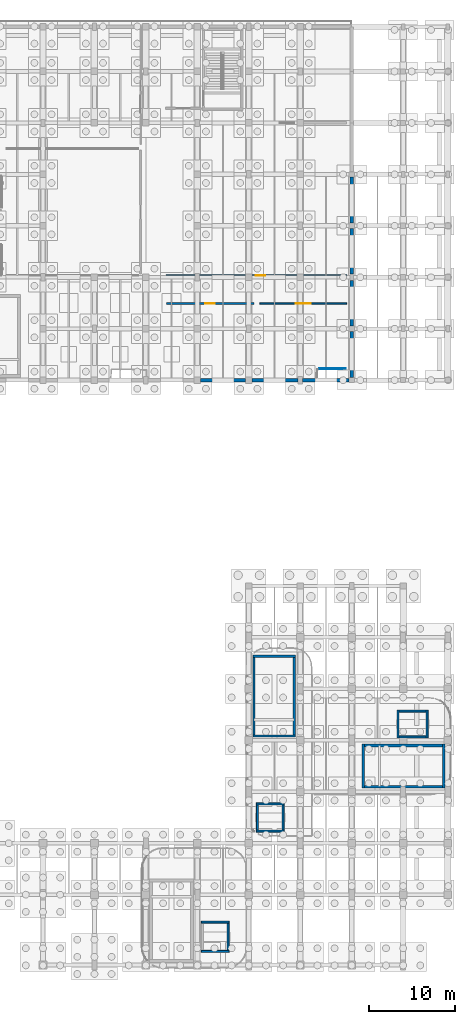
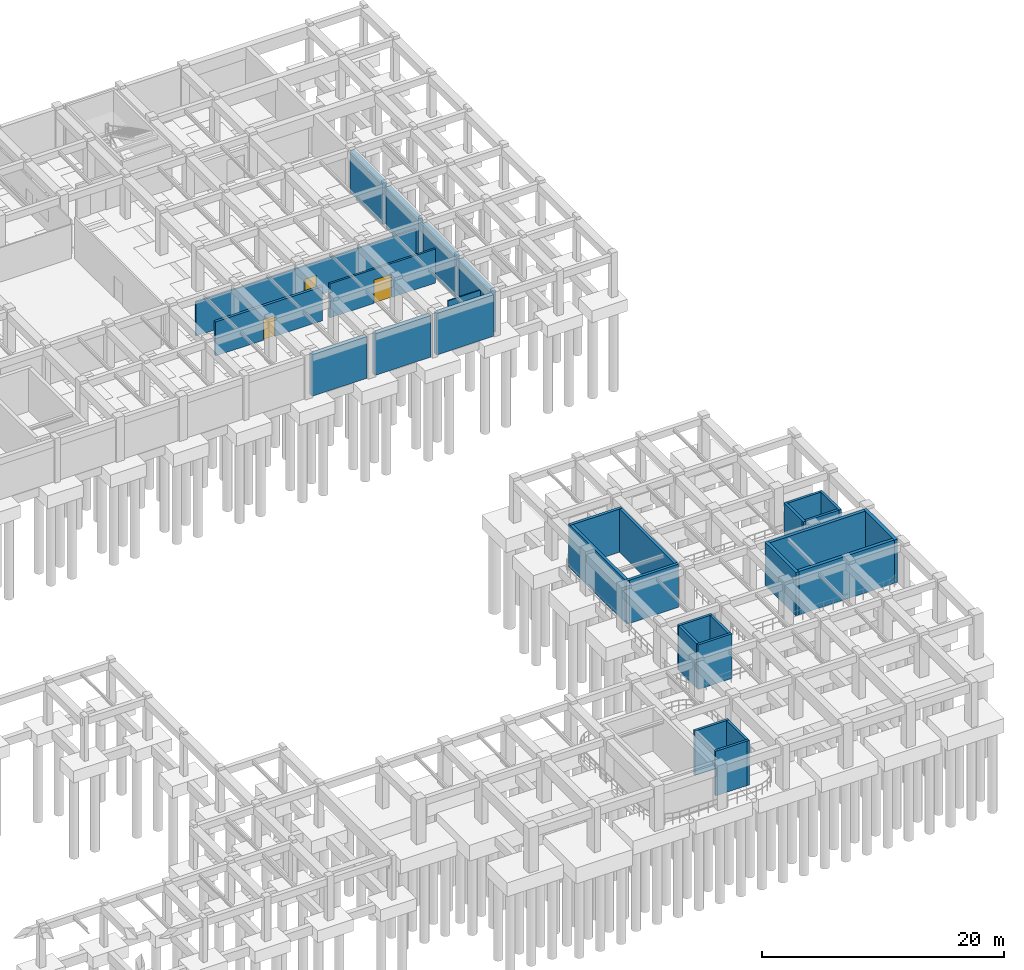
# One storey, part 21 of 32: 30 walls, 3 doors, 3 openings.
"""IFC4 building model written with IfcOpenShell, lengths in metres."""

from ifc_helpers import new_model, si_unit, direction, frame, frame_2d, origin, place, context, subcontext, project, spatial, rectangle, extrude, material, layer, layer_set, type_object, element, fill, save


model = new_model("IFC4")

# Units and contexts
model_context = context("Model", 3, precision=1e-05, world=origin(), true_north=direction((0.0, 1.0)))
body_context = subcontext(model_context, "Body", "Model", "MODEL_VIEW")
ifc_project = project(units=[si_unit("LENGTHUNIT", "METRE"), si_unit("AREAUNIT", "SQUARE_METRE"), si_unit("VOLUMEUNIT", "CUBIC_METRE"), si_unit("PLANEANGLEUNIT", "RADIAN"), si_unit("MASSUNIT", "GRAM", prefix="KILO")], contexts=[model_context])

# Site, building, storey
site_placement = place(None, origin())
site = spatial("IfcSite", under=ifc_project, at=site_placement, CompositionType="ELEMENT")
building_placement = place(site_placement, origin())
building = spatial("IfcBuilding", under=site, at=building_placement, Name="Varnakota Square Police Headquarters", CompositionType="ELEMENT")
storey_placement = place(building_placement, frame((0.0, 0.0, -4.5)))
storey = spatial("IfcBuildingStorey", under=building, at=storey_placement, Name="B1", CompositionType="ELEMENT", Elevation=-4.5)

# Walls
ifc_material_1 = material(Name="Concrete M40", Category="concrete")
ifc_layer_1 = layer(ifc_material_1, 0.22998046875, Name="Concrete M40")
ifc_layer_set_1 = layer_set([ifc_layer_1], Name="Concrete M40")
wall_type_1 = type_object("IfcWallType", Name="WL-CORE-230", PredefinedType="SHEAR", material=ifc_layer_set_1)
wall_1_placement = place(storey_placement, frame((132.485107421875, 2.39990234375, 0.0), z_axis=(0.0, 0.0, 1.0), x_axis=(1.0, 0.0, 0.0)))
element("IfcWall", 1, at=wall_1_placement, inside=storey, type_object=wall_type_1, Name="Lift shaft wall LF-FF1 B1 S", PredefinedType="SHEAR", context=body_context, shape_type="SweptSolid", body=[
    extrude(rectangle(XDim=3.22998046875, YDim=0.22998046875, at=frame_2d((1.614990234375, 0.0))), origin(), (0.0, 0.0, 1.0), 4.5),
])
wall_2_placement = place(storey_placement, frame((135.60009765625, 2.284912109375, 0.0), z_axis=(0.0, 0.0, 1.0), x_axis=(0.0, 1.0, 0.0)))
element("IfcWall", 2, at=wall_2_placement, inside=storey, type_object=wall_type_1, Name="Lift shaft wall LF-FF1 B1 E", PredefinedType="SHEAR", context=body_context, shape_type="SweptSolid", body=[
    extrude(rectangle(XDim=3.630126953125, YDim=0.22998046875, at=frame_2d((1.81494140625, 0.0))), origin(), (0.0, 0.0, 1.0), 4.5),
])
wall_3_placement = place(storey_placement, frame((135.715087890625, 5.800048828125, 0.0), z_axis=(0.0, 0.0, 1.0), x_axis=(-1.0, 0.0, 0.0)))
element("IfcWall", 3, at=wall_3_placement, inside=storey, type_object=wall_type_1, Name="Lift shaft wall LF-FF1 B1 N", PredefinedType="SHEAR", context=body_context, shape_type="SweptSolid", body=[
    extrude(rectangle(XDim=3.22998046875, YDim=0.22998046875, at=frame_2d((1.614990234375, 0.0))), origin(), (0.0, 0.0, 1.0), 4.5),
])
wall_4_placement = place(storey_placement, frame((155.284912109375, 27.39990234375, 0.0), z_axis=(0.0, 0.0, 1.0), x_axis=(1.0, 0.0, 0.0)))
element("IfcWall", 4, at=wall_4_placement, inside=storey, type_object=wall_type_1, Name="Lift shaft wall LF-FF2 B1 S", PredefinedType="SHEAR", context=body_context, shape_type="SweptSolid", body=[
    extrude(rectangle(XDim=3.630126953125, YDim=0.22998046875, at=frame_2d((1.81494140625, 0.0))), origin(), (0.0, 0.0, 1.0), 4.5),
])
wall_5_placement = place(storey_placement, frame((158.800048828125, 27.284912109375, 0.0), z_axis=(0.0, 0.0, 1.0), x_axis=(0.0, 1.0, 0.0)))
element("IfcWall", 5, at=wall_5_placement, inside=storey, type_object=wall_type_1, Name="Lift shaft wall LF-FF2 B1 E", PredefinedType="SHEAR", context=body_context, shape_type="SweptSolid", body=[
    extrude(rectangle(XDim=3.22998046875, YDim=0.22998046875, at=frame_2d((1.614990234375, 0.0))), origin(), (0.0, 0.0, 1.0), 4.5),
])
wall_6_placement = place(storey_placement, frame((158.9150390625, 30.39990234375, 0.0), z_axis=(0.0, 0.0, 1.0), x_axis=(-1.0, 0.0, 0.0)))
element("IfcWall", 6, at=wall_6_placement, inside=storey, type_object=wall_type_1, Name="Lift shaft wall LF-FF2 B1 N", PredefinedType="SHEAR", context=body_context, shape_type="SweptSolid", body=[
    extrude(rectangle(XDim=3.630126953125, YDim=0.22998046875, at=frame_2d((1.81494140625, 0.0))), origin(), (0.0, 0.0, 1.0), 4.5),
])
for number, where, z_axis, x_axis, name in (
    (7, (155.39990234375, 30.514892578125, 0.0), (0.0, 0.0, 1.0), (0.0, -1.0, 0.0), "Lift shaft wall LF-FF2 B1 W"),
    (8, (138.885009765625, 16.39990234375, 0.0), (0.0, 0.0, 1.0), (1.0, 0.0, 0.0), "Lift shaft wall LF-P1 B1 S"),
):
    element("IfcWall", number, at=place(storey_placement, frame(where, z_axis=z_axis, x_axis=x_axis)), inside=storey, type_object=wall_type_1, Name=name, PredefinedType="SHEAR", context=body_context, shape_type="SweptSolid", body=[
        extrude(rectangle(XDim=3.22998046875, YDim=0.22998046875, at=frame_2d((1.614990234375, 0.0))), origin(), (0.0, 0.0, 1.0), 4.5),
    ])
wall_7_placement = place(storey_placement, frame((142.0, 16.284912109375, 0.0), z_axis=(0.0, 0.0, 1.0), x_axis=(0.0, 1.0, 0.0)))
element("IfcWall", 9, at=wall_7_placement, inside=storey, type_object=wall_type_1, Name="Lift shaft wall LF-P1 B1 E", PredefinedType="SHEAR", context=body_context, shape_type="SweptSolid", body=[
    extrude(rectangle(XDim=3.43017578125, YDim=0.22998046875, at=frame_2d((1.715087890625, 0.0))), origin(), (0.0, 0.0, 1.0), 4.5),
])
wall_8_placement = place(storey_placement, frame((142.114990234375, 19.60009765625, 0.0), z_axis=(0.0, 0.0, 1.0), x_axis=(-1.0, 0.0, 0.0)))
element("IfcWall", 10, at=wall_8_placement, inside=storey, type_object=wall_type_1, Name="Lift shaft wall LF-P1 B1 N", PredefinedType="SHEAR", context=body_context, shape_type="SweptSolid", body=[
    extrude(rectangle(XDim=3.22998046875, YDim=0.22998046875, at=frame_2d((1.614990234375, 0.0))), origin(), (0.0, 0.0, 1.0), 4.5),
])
wall_9_placement = place(storey_placement, frame((139.0, 19.715087890625, 0.0), z_axis=(0.0, 0.0, 1.0), x_axis=(0.0, -1.0, 0.0)))
element("IfcWall", 11, at=wall_9_placement, inside=storey, type_object=wall_type_1, Name="Lift shaft wall LF-P1 B1 W", PredefinedType="SHEAR", context=body_context, shape_type="SweptSolid", body=[
    extrude(rectangle(XDim=3.43017578125, YDim=0.22998046875, at=frame_2d((1.715087890625, 0.0))), origin(), (0.0, 0.0, 1.0), 4.5),
])
ifc_material_2 = material(Name="Concrete M50", Category="concrete")
ifc_layer_2 = layer(ifc_material_2, 0.27001953125, Name="Concrete M50")
ifc_layer_set_2 = layer_set([ifc_layer_2], Name="Concrete M50")
wall_type_2 = type_object("IfcWallType", Name="WL-CORE-270", PredefinedType="SHEAR", material=ifc_layer_set_2)
wall_10_placement = place(storey_placement, frame((138.465087890625, 27.5, 0.0), z_axis=(0.0, 0.0, 1.0), x_axis=(1.0, 0.0, 0.0)))
element("IfcWall", 12, at=wall_10_placement, inside=storey, type_object=wall_type_2, Name="Core C3 shear wall B1 S", PredefinedType="SHEAR", context=body_context, shape_type="SweptSolid", body=[
    extrude(rectangle(XDim=4.969970703125, YDim=0.27001953125, at=frame_2d((2.48486328125, 0.0))), origin(), (0.0, 0.0, 1.0), 4.360107421875),
])
wall_11_placement = place(storey_placement, frame((143.300048828125, 27.364990234375, 0.0), z_axis=(0.0, 0.0, 1.0), x_axis=(0.0, 1.0, 0.0)))
element("IfcWall", 13, at=wall_11_placement, inside=storey, type_object=wall_type_2, Name="Core C3 shear wall B1 E", PredefinedType="SHEAR", context=body_context, shape_type="SweptSolid", body=[
    extrude(rectangle(XDim=9.570068359375, YDim=0.27001953125, at=frame_2d((4.78515625, 0.0))), origin(), (0.0, 0.0, 1.0), 4.360107421875),
])
wall_12_placement = place(storey_placement, frame((143.43505859375, 36.800048828125, 0.0), z_axis=(0.0, 0.0, 1.0), x_axis=(-1.0, 0.0, 0.0)))
element("IfcWall", 14, at=wall_12_placement, inside=storey, type_object=wall_type_2, Name="Core C3 shear wall B1 N", PredefinedType="SHEAR", context=body_context, shape_type="SweptSolid", body=[
    extrude(rectangle(XDim=4.969970703125, YDim=0.27001953125, at=frame_2d((2.48486328125, 0.0))), origin(), (0.0, 0.0, 1.0), 4.360107421875),
])
wall_13_placement = place(storey_placement, frame((138.60009765625, 36.93505859375, 0.0), z_axis=(0.0, 0.0, 1.0), x_axis=(0.0, -1.0, 0.0)))
element("IfcWall", 15, at=wall_13_placement, inside=storey, type_object=wall_type_2, Name="Core C3 shear wall B1 W", PredefinedType="SHEAR", context=body_context, shape_type="SweptSolid", body=[
    extrude(rectangle(XDim=9.570068359375, YDim=0.27001953125, at=frame_2d((4.78515625, 0.0))), origin(), (0.0, 0.0, 1.0), 4.360107421875),
])
ifc_layer_3 = layer(ifc_material_2, 0.31005859375, Name="Concrete M50")
ifc_layer_set_3 = layer_set([ifc_layer_3], Name="Concrete M50")
wall_type_3 = type_object("IfcWallType", Name="WL-CORE-310", PredefinedType="SHEAR", material=ifc_layer_set_3)
wall_14_placement = place(storey_placement, frame((151.195068359375, 21.60009765625, 0.0), z_axis=(0.0, 0.0, 1.0), x_axis=(1.0, 0.0, 0.0)))
element("IfcWall", 16, at=wall_14_placement, inside=storey, type_object=wall_type_3, Name="Core C2 shear wall B1 S", PredefinedType="SHEAR", context=body_context, shape_type="SweptSolid", body=[
    extrude(rectangle(XDim=9.7099609375, YDim=0.31005859375, at=frame_2d((4.85498046875, 0.0))), origin(), (0.0, 0.0, 1.0), 4.360107421875),
])
wall_15_placement = place(storey_placement, frame((160.75, 21.445068359375, 0.0), z_axis=(0.0, 0.0, 1.0), x_axis=(0.0, 1.0, 0.0)))
element("IfcWall", 17, at=wall_15_placement, inside=storey, type_object=wall_type_3, Name="Core C2 shear wall B1 E", PredefinedType="SHEAR", context=body_context, shape_type="SweptSolid", body=[
    extrude(rectangle(XDim=5.10986328125, YDim=0.31005859375, at=frame_2d((2.554931640625, 0.0))), origin(), (0.0, 0.0, 1.0), 4.360107421875),
])
wall_16_placement = place(storey_placement, frame((160.905029296875, 26.39990234375, 0.0), z_axis=(0.0, 0.0, 1.0), x_axis=(-1.0, 0.0, 0.0)))
element("IfcWall", 18, at=wall_16_placement, inside=storey, type_object=wall_type_3, Name="Core C2 shear wall B1 N", PredefinedType="SHEAR", context=body_context, shape_type="SweptSolid", body=[
    extrude(rectangle(XDim=9.7099609375, YDim=0.31005859375, at=frame_2d((4.85498046875, 0.0))), origin(), (0.0, 0.0, 1.0), 4.360107421875),
])
wall_17_placement = place(storey_placement, frame((151.35009765625, 26.554931640625, 0.0), z_axis=(0.0, 0.0, 1.0), x_axis=(0.0, -1.0, 0.0)))
element("IfcWall", 19, at=wall_17_placement, inside=storey, type_object=wall_type_3, Name="Core C2 shear wall B1 W", PredefinedType="SHEAR", context=body_context, shape_type="SweptSolid", body=[
    extrude(rectangle(XDim=5.10986328125, YDim=0.31005859375, at=frame_2d((2.554931640625, 0.0))), origin(), (0.0, 0.0, 1.0), 4.360107421875),
])
ifc_material_3 = material(Name="Lightweight Demountable Office Partition", Category="gypsum")
ifc_layer_4 = layer(ifc_material_3, 0.094970703125, Name="Lightweight Demountable Office Partition")
ifc_layer_set_4 = layer_set([ifc_layer_4], Name="Lightweight Demountable Office Partition")
wall_type_4 = type_object("IfcWallType", Name="WL-PRT-095", PredefinedType="PARTITIONING", material=ifc_layer_set_4)
wall_18_placement = place(storey_placement, frame((149.320068359375, 70.349609375, 0.0), z_axis=(0.0, 0.0, 1.0), x_axis=(-0.999998341873, -0.001821057946, 0.0)))
element("IfcWall", 20, at=wall_18_placement, inside=storey, type_object=wall_type_4, Name="Interior dividing partition PW-B1-0019 (Standby Generator Plant Room)", PredefinedType="PARTITIONING", context=body_context, shape_type="SweptSolid", body=[
    extrude(rectangle(XDim=3.08349609375, YDim=0.094970703125, at=frame_2d((1.541748046875, 0.0))), origin(), (0.0, 0.0, 1.0), 3.889892578125),
])

# Wall, opening, door
ifc_material_4 = material(Name="Fire-Rated Double Gypsum Stud Partition", Category="gypsum")
ifc_layer_5 = layer(ifc_material_4, 0.1650390625, Name="Fire-Rated Double Gypsum Stud Partition")
ifc_layer_set_5 = layer_set([ifc_layer_5], Name="Fire-Rated Double Gypsum Stud Partition")
wall_type_5 = type_object("IfcWallType", Name="WL-PRT-165F", PredefinedType="PARTITIONING", material=ifc_layer_set_5)
wall_19_placement = place(storey_placement, frame((149.39990234375, 81.199951171875, 0.0), z_axis=(0.0, 0.0, 1.0), x_axis=(-1.0, 0.0, 0.0)))
wall_19 = element("IfcWall", 21, at=wall_19_placement, inside=storey, type_object=wall_type_5, Name="Interior partition PW-B1-0008 (Central Chiller Plant Room)", PredefinedType="PARTITIONING", context=body_context, shape_type="SweptSolid", body=[
    extrude(rectangle(XDim=21.0, YDim=0.1650390625, at=frame_2d((10.5, 0.0))), origin(), (0.0, 0.0, 1.0), 3.43994140625),
])
opening_1_placement = place(wall_19_placement, frame((9.5, 0.0, 0.0)))
opening_1 = element("IfcOpeningElement", 22, at=opening_1_placement, cuts=wall_19, Name="Opening D150", PredefinedType="OPENING", context=body_context, shape_type="SweptSolid", body=[
    extrude(rectangle(XDim=1.10009765625, YDim=2.10009765625, at=frame_2d((0.550048828125, 1.050048828125))), frame((0.0, 0.092529296875, 0.0), z_axis=(0.0, -1.0, 0.0), x_axis=(1.0, 0.0, 0.0)), (0.0, 0.0, 1.0), 0.18505859375),
])
ifc_material_5 = material(Name="Powder-Coated Hollow Metal Steel", Category="steel")
door_type_1 = type_object("IfcDoorType", Name="DR-PLT-110", OperationType="NOTDEFINED", PredefinedType="DOOR", material=ifc_material_5)
door_1_placement = place(opening_1_placement, origin())
door_1 = element("IfcDoor", 23, at=door_1_placement, inside=storey, type_object=door_type_1, Name="Room door D150 (Central Chiller Plant Room)", OperationType="SINGLE_SWING_LEFT", OverallHeight=2.10009765625, OverallWidth=1.10009765625, PredefinedType="DOOR", context=body_context, shape_type="SweptSolid", body=[
    extrude(rectangle(XDim=1.10009765625, YDim=2.10009765625, at=frame_2d((0.550048828125, 1.050048828125))), frame((0.0, 0.02490234375, 0.0), z_axis=(0.0, -1.0, 0.0), x_axis=(1.0, 0.0, 0.0)), (0.0, 0.0, 1.0), 0.050048828125),
])
fill(opening_1, door_1)

ifc_material_6 = material(Name="Autoclaved Aerated Concrete Blockwork", Category="masonry")
ifc_layer_6 = layer(ifc_material_6, 0.18994140625, Name="Autoclaved Aerated Concrete Blockwork")
ifc_layer_set_6 = layer_set([ifc_layer_6], Name="Autoclaved Aerated Concrete Blockwork")
wall_type_6 = type_object("IfcWallType", Name="WL-PRT-190F", PredefinedType="PARTITIONING", material=ifc_layer_set_6)
wall_20_placement = place(storey_placement, frame((139.300048828125, 77.949951171875, 0.0), z_axis=(0.0, 0.0, 1.0), x_axis=(1.0, 0.0, 0.0)))
wall_20 = element("IfcWall", 24, at=wall_20_placement, inside=storey, type_object=wall_type_6, Name="Interior partition PW-B1-0007 (Standby Generator Plant Room)", PredefinedType="PARTITIONING", context=body_context, shape_type="SweptSolid", body=[
    extrude(rectangle(XDim=10.099853515625, YDim=0.18994140625, at=frame_2d((5.0498046875, 0.0))), origin(), (0.0, 0.0, 1.0), 3.43994140625),
])
opening_2_placement = place(wall_20_placement, frame((4.199951171875, 0.0, 0.0)))
opening_2 = element("IfcOpeningElement", 25, at=opening_2_placement, cuts=wall_20, Name="Opening D149", PredefinedType="OPENING", context=body_context, shape_type="SweptSolid", body=[
    extrude(rectangle(XDim=1.699951171875, YDim=2.35009765625, at=frame_2d((0.85009765625, 1.175048828125))), frame((0.0, 0.10498046875, 0.0), z_axis=(0.0, -1.0, 0.0), x_axis=(1.0, 0.0, 0.0)), (0.0, 0.0, 1.0), 0.2099609375),
])
ifc_material_7 = material(Name="Hot-Dip Galvanised Louvred Steel", Category="steel")
door_type_2 = type_object("IfcDoorType", Name="DR-PLT-170", OperationType="NOTDEFINED", PredefinedType="DOOR", material=ifc_material_7)
door_2_placement = place(opening_2_placement, origin())
door_2 = element("IfcDoor", 26, at=door_2_placement, inside=storey, type_object=door_type_2, Name="Room door D149 (Standby Generator Plant Room)", OperationType="DOUBLE_DOOR_SINGLE_SWING", OverallHeight=2.35009765625, OverallWidth=1.699951171875, PredefinedType="DOOR", context=body_context, shape_type="SweptSolid", body=[
    extrude(rectangle(XDim=1.699951171875, YDim=2.35009765625, at=frame_2d((0.85009765625, 1.175048828125))), frame((0.0, 0.02490234375, 0.0), z_axis=(0.0, -1.0, 0.0), x_axis=(1.0, 0.0, 0.0)), (0.0, 0.0, 1.0), 0.050048828125),
])
fill(opening_2, door_2)

ifc_layer_7 = layer(ifc_material_1, 0.25, Name="Concrete M40")
ifc_layer_set_7 = layer_set([ifc_layer_7], Name="Concrete M40")
wall_type_7 = type_object("IfcWallType", Name="WL-PRT-250F", PredefinedType="PARTITIONING", material=ifc_layer_set_7)
wall_21_placement = place(storey_placement, frame((128.39990234375, 77.949951171875, 0.0), z_axis=(0.0, 0.0, 1.0), x_axis=(1.0, 0.0, 0.0)))
wall_21 = element("IfcWall", 27, at=wall_21_placement, inside=storey, type_object=wall_type_7, Name="Interior partition PW-B1-0006 (Electrical Substation Plant Room)", PredefinedType="PARTITIONING", context=body_context, shape_type="SweptSolid", body=[
    extrude(rectangle(XDim=10.2001953125, YDim=0.25, at=frame_2d((5.10009765625, 0.0))), origin(), (0.0, 0.0, 1.0), 3.43994140625),
])
opening_3_placement = place(wall_21_placement, frame((4.550048828125, 0.0, 0.0)))
opening_3 = element("IfcOpeningElement", 28, at=opening_3_placement, cuts=wall_21, Name="Opening D148", PredefinedType="OPENING", context=body_context, shape_type="SweptSolid", body=[
    extrude(rectangle(XDim=1.10009765625, YDim=2.10009765625, at=frame_2d((0.550048828125, 1.050048828125))), frame((0.0, 0.135009765625, 0.0), z_axis=(0.0, -1.0, 0.0), x_axis=(1.0, 0.0, 0.0)), (0.0, 0.0, 1.0), 0.27001953125),
])
door_3_placement = place(opening_3_placement, origin())
door_3 = element("IfcDoor", 29, at=door_3_placement, inside=storey, type_object=door_type_1, Name="Room door D148 (Electrical Substation Plant Room)", OperationType="SINGLE_SWING_RIGHT", OverallHeight=2.10009765625, OverallWidth=1.10009765625, PredefinedType="DOOR", context=body_context, shape_type="SweptSolid", body=[
    extrude(rectangle(XDim=1.10009765625, YDim=2.10009765625, at=frame_2d((0.550048828125, 1.050048828125))), frame((0.0, 0.02490234375, 0.0), z_axis=(0.0, -1.0, 0.0), x_axis=(1.0, 0.0, 0.0)), (0.0, 0.0, 1.0), 0.050048828125),
])
fill(opening_3, door_3)

# Walls
ifc_layer_8 = layer(ifc_material_1, 0.3798828125, Name="Concrete M40")
ifc_layer_set_8 = layer_set([ifc_layer_8], Name="Concrete M40")
wall_type_8 = type_object("IfcWallType", Name="WL-RET-380", PredefinedType="SHEAR", material=ifc_layer_set_8)
wall_22_placement = place(storey_placement, frame((132.37890625, 69.0, 0.0), z_axis=(0.0, 0.0, 1.0), x_axis=(1.0, 0.0, 0.0)))
element("IfcWall", 30, at=wall_22_placement, inside=storey, type_object=wall_type_8, Name="Exterior wall EW-B1-0036", PredefinedType="SHEAR", context=body_context, shape_type="SweptSolid", body=[
    extrude(rectangle(XDim=5.2421875, YDim=0.3798828125, at=frame_2d((2.62109375, 0.0))), origin(), (0.0, 0.0, 1.0), 4.195068359375),
])
wall_23_placement = place(storey_placement, frame((138.37890625, 69.0, 0.0), z_axis=(0.0, 0.0, 1.0), x_axis=(1.0, 0.0, 0.0)))
element("IfcWall", 31, at=wall_23_placement, inside=storey, type_object=wall_type_8, Name="Exterior wall EW-B1-0038", PredefinedType="SHEAR", context=body_context, shape_type="SweptSolid", body=[
    extrude(rectangle(XDim=5.3671875, YDim=0.3798828125, at=frame_2d((2.68359375, 0.0))), origin(), (0.0, 0.0, 1.0), 4.195068359375),
])
wall_24_placement = place(storey_placement, frame((144.25390625, 69.0, 0.0), z_axis=(0.0, 0.0, 1.0), x_axis=(1.0, 0.0, 0.0)))
element("IfcWall", 32, at=wall_24_placement, inside=storey, type_object=wall_type_8, Name="Exterior wall EW-B1-0040", PredefinedType="SHEAR", context=body_context, shape_type="SweptSolid", body=[
    extrude(rectangle(XDim=5.442138671875, YDim=0.3798828125, at=frame_2d((2.72119140625, 0.0))), origin(), (0.0, 0.0, 1.0), 4.195068359375),
])
ifc_layer_9 = layer(ifc_material_2, 0.419921875, Name="Concrete M50")
ifc_layer_set_9 = layer_set([ifc_layer_9], Name="Concrete M50")
wall_type_9 = type_object("IfcWallType", Name="WL-RET-420", PredefinedType="SHEAR", material=ifc_layer_set_9)
wall_25_placement = place(storey_placement, frame((150.0, 69.303955078125, 0.0), z_axis=(0.0, 0.0, 1.0), x_axis=(0.0, 1.0, 0.0)))
element("IfcWall", 33, at=wall_25_placement, inside=storey, type_object=wall_type_9, Name="Exterior wall EW-B1-0043", PredefinedType="SHEAR", context=body_context, shape_type="SweptSolid", body=[
    extrude(rectangle(XDim=5.39208984375, YDim=0.419921875, at=frame_2d((2.696044921875, 0.0))), origin(), (0.0, 0.0, 1.0), 4.195068359375),
])
for number, where, z_axis, x_axis, name in (
    (34, (150.0, 75.303955078125, 0.0), (0.0, 0.0, 1.0), (0.0, 1.0, 0.0), "Exterior wall EW-B1-0045"),
    (35, (150.0, 81.35400390625, 0.0), (0.0, 0.0, 1.0), (0.0, 1.0, 0.0), "Exterior wall EW-B1-0047"),
):
    element("IfcWall", number, at=place(storey_placement, frame(where, z_axis=z_axis, x_axis=x_axis)), inside=storey, type_object=wall_type_9, Name=name, PredefinedType="SHEAR", context=body_context, shape_type="SweptSolid", body=[
        extrude(rectangle(XDim=5.342041015625, YDim=0.419921875, at=frame_2d((2.6708984375, 0.0))), origin(), (0.0, 0.0, 1.0), 4.195068359375),
    ])
wall_26_placement = place(storey_placement, frame((150.0, 87.303955078125, 0.0), z_axis=(0.0, 0.0, 1.0), x_axis=(0.0, 1.0, 0.0)))
element("IfcWall", 36, at=wall_26_placement, inside=storey, type_object=wall_type_9, Name="Exterior wall EW-B1-0049", PredefinedType="SHEAR", context=body_context, shape_type="SweptSolid", body=[
    extrude(rectangle(XDim=5.39208984375, YDim=0.419921875, at=frame_2d((2.696044921875, 0.0))), origin(), (0.0, 0.0, 1.0), 4.195068359375),
])

save(model, "model.ifc")
